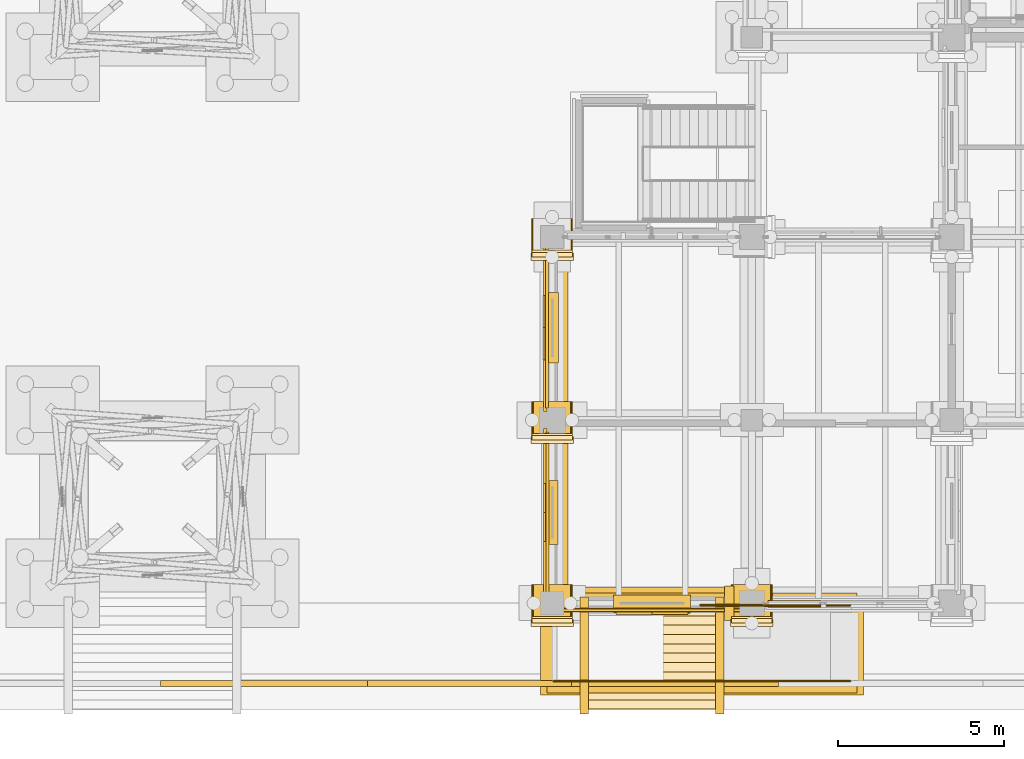
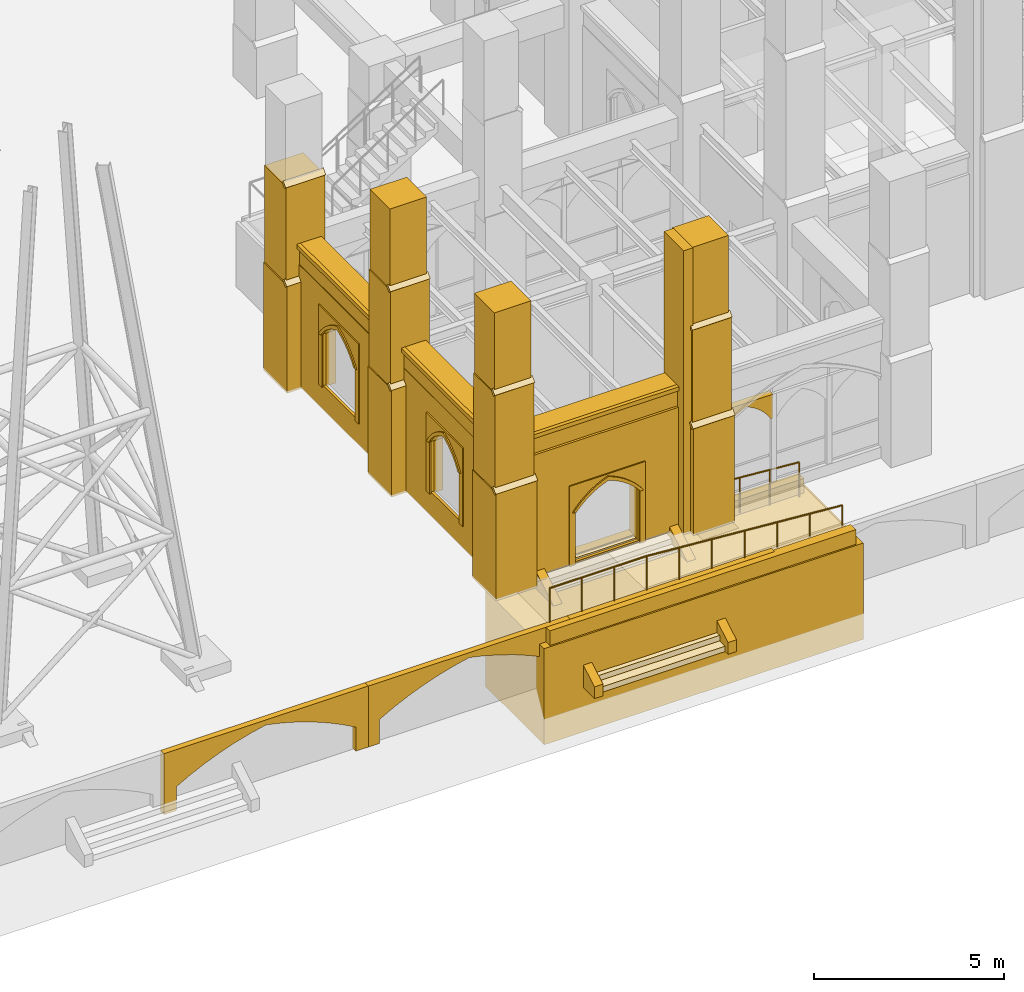
# One storey, part 103 of 135: 45 coverings, 2 railings.
"""IFC4 building model written with IfcOpenShell, lengths in metres."""

from ifc_helpers import new_model, si_unit, direction, frame, origin, origin_2d, place, context, subcontext, project, spatial, polyline, rectangle, circle, outline, extrude, material, type_object, element, save


model = new_model("IFC4")

# Units and contexts
model_context = context("Model", 3, precision=1e-05, world=origin(), true_north=direction((0.0, 1.0)))
body_context = subcontext(model_context, "Body", "Model", "MODEL_VIEW")
ifc_project = project(units=[si_unit("LENGTHUNIT", "METRE"), si_unit("AREAUNIT", "SQUARE_METRE"), si_unit("VOLUMEUNIT", "CUBIC_METRE"), si_unit("PLANEANGLEUNIT", "RADIAN"), si_unit("MASSUNIT", "GRAM", prefix="KILO")], contexts=[model_context])

# Site, building, storey
site_placement = place(None, origin())
site = spatial("IfcSite", under=ifc_project, at=site_placement, CompositionType="ELEMENT")
building_placement = place(site_placement, origin())
building = spatial("IfcBuilding", under=site, at=building_placement, Name="Cumevento Cable Car Station", CompositionType="ELEMENT")
storey_placement = place(building_placement, origin())
storey = spatial("IfcBuildingStorey", under=building, at=storey_placement, Name="L01", CompositionType="ELEMENT", Elevation=0.0)

# Railings
ifc_material_1 = material(Name="Painted Galvanised Architectural Steel", Category="steel")
railing_type = type_object("IfcRailingType", Name="Stair Guardrail GR-S115", PredefinedType="GUARDRAIL", material=ifc_material_1)
railing_1_placement = place(storey_placement, frame((106.050048828125, 1.659912109375, 0.0)))
element("IfcRailing", 1, at=railing_1_placement, inside=storey, type_object=railing_type, Name="Ramp Edge Guardrail RP-03 #196", PredefinedType="GUARDRAIL", context=body_context, shape_type="SweptSolid", body=[
    extrude(circle(Radius=0.02392578125, at=origin_2d()), frame((0.0, 0.0, 1.1259765625), z_axis=(1.0, 0.0, 0.0), x_axis=(0.0, 1.0, 0.0)), (0.0, 0.0, 1.0), 2.949951171875),
    extrude(circle(Radius=0.02392578125, at=origin_2d()), frame((2.949951171875, 0.0, 1.1259765625), z_axis=(0.997152812216, 0.0, -0.075407354352), x_axis=(0.0, 1.0, 0.0)), (0.0, 0.0, 1.0), 5.967041015625),
    extrude(circle(Radius=0.02001953125, at=origin_2d()), origin(), (0.0, 0.0, 1.0), 1.101806640625),
    extrude(circle(Radius=0.02001953125, at=origin_2d()), frame((0.9833984375, 0.0, 0.0)), (0.0, 0.0, 1.0), 1.101806640625),
    extrude(circle(Radius=0.02001953125, at=origin_2d()), frame((1.966552734375, 0.0, 0.0)), (0.0, 0.0, 1.0), 1.101806640625),
    extrude(circle(Radius=0.02001953125, at=origin_2d()), frame((2.949951171875, 0.0, 0.0)), (0.0, 0.0, 1.0), 1.101806640625),
    extrude(circle(Radius=0.02001953125, at=origin_2d()), frame((3.941650390625, 0.0, -0.074951171875)), (0.0, 0.0, 1.0), 1.101806640625),
    extrude(circle(Radius=0.02001953125, at=origin_2d()), frame((4.933349609375, 0.0, -0.14990234375)), (0.0, 0.0, 1.0), 1.101806640625),
    extrude(circle(Radius=0.02001953125, at=origin_2d()), frame((5.9248046875, 0.0, -0.22509765625)), (0.0, 0.0, 1.0), 1.101806640625),
    extrude(circle(Radius=0.02001953125, at=origin_2d()), frame((6.91650390625, 0.0, -0.300048828125)), (0.0, 0.0, 1.0), 1.101806640625),
    extrude(circle(Radius=0.02001953125, at=origin_2d()), frame((7.908203125, 0.0, -0.375)), (0.0, 0.0, 1.0), 1.101806640625),
    extrude(circle(Radius=0.02001953125, at=origin_2d()), frame((8.89990234375, 0.0, -0.449951171875)), (0.0, 0.0, 1.0), 1.101806640625),
])
railing_2_placement = place(storey_placement, frame((110.449951171875, 3.93994140625, -0.108642578125)))
element("IfcRailing", 2, at=railing_2_placement, inside=storey, type_object=railing_type, Name="Ramp Edge Guardrail RP-03 #197", PredefinedType="GUARDRAIL", context=body_context, shape_type="SweptSolid", body=[
    extrude(circle(Radius=0.02392578125, at=origin_2d()), frame((0.0, 0.0, 1.1259765625), z_axis=(0.997136016038, 0.0, -0.075629131425), x_axis=(0.0, 1.0, 0.0)), (0.0, 0.0, 1.0), 4.512939453125),
    extrude(circle(Radius=0.02001953125, at=origin_2d()), origin(), (0.0, 0.0, 1.0), 1.101806640625),
    extrude(circle(Radius=0.02001953125, at=origin_2d()), frame((0.89990234375, 0.0, -0.068359375)), (0.0, 0.0, 1.0), 1.101806640625),
    extrude(circle(Radius=0.02001953125, at=origin_2d()), frame((1.800048828125, 0.0, -0.136474609375)), (0.0, 0.0, 1.0), 1.101806640625),
    extrude(circle(Radius=0.02001953125, at=origin_2d()), frame((2.699951171875, 0.0, -0.204833984375)), (0.0, 0.0, 1.0), 1.101806640625),
    extrude(circle(Radius=0.02001953125, at=origin_2d()), frame((3.60009765625, 0.0, -0.27294921875)), (0.0, 0.0, 1.0), 1.101806640625),
    extrude(circle(Radius=0.02001953125, at=origin_2d()), frame((4.5, 0.0, -0.34130859375)), (0.0, 0.0, 1.0), 1.101806640625),
])

# Coverings
ifc_material_2 = material(Name="Gnaisse Facoidal Stone Ashlar 85 MPa", Category="masonry")
covering_type = type_object("IfcCoveringType", Name="Gnaisse Ashlar Cladding CV-CL01", PredefinedType="CLADDING", material=ifc_material_2)
covering_1_placement = place(storey_placement, frame((106.0, 3.93994140625, -0.06005859375), z_axis=(0.0, 0.0, 1.0), x_axis=(1.0, 0.0, 0.0)))
element("IfcCovering", 3, at=covering_1_placement, inside=storey, type_object=covering_type, Name="Stepped Gothic Stone Buttress Tier 1 bt:106.0:4.0", PredefinedType="CLADDING", context=body_context, shape_type="SweptSolid", body=[
    extrude(rectangle(XDim=1.239990234375, YDim=1.239990234375, at=origin_2d()), origin(), (0.0, 0.0, 1.0), 3.465576171875),
])
covering_2_placement = place(storey_placement, frame((105.360107421875, 3.300048828125, 3.385498046875), z_axis=(0.0, -0.714474823669, 0.699661151089), x_axis=(1.0, 0.0, 0.0)))
element("IfcCovering", 4, at=covering_2_placement, inside=storey, type_object=covering_type, Name="Gothic Buttress Sloped Stone Weathering 1 bt:106.0:4.0", PredefinedType="CLADDING", context=body_context, shape_type="SweptSolid", body=[
    extrude(outline(polyline([(0.0, 0.0), (1.27978515625, 0.0), (1.27978515625, 0.21424991728737658), (0.0, 0.21424991728737658), (0.0, 0.0)])), origin(), (0.0, 0.0, -1.0), 0.090087890625),
])
covering_3_placement = place(storey_placement, frame((106.0, 3.989990234375, 3.22314453125), z_axis=(0.0, 0.0, 1.0), x_axis=(1.0, 0.0, 0.0)))
element("IfcCovering", 5, at=covering_3_placement, inside=storey, type_object=covering_type, Name="Stepped Gothic Stone Buttress Tier 2 bt:106.0:4.0", PredefinedType="CLADDING", context=body_context, shape_type="SweptSolid", body=[
    extrude(rectangle(XDim=1.179931640625, YDim=1.139892578125, at=origin_2d()), origin(), (0.0, 0.0, 1.0), 3.283203125),
])
covering_4_placement = place(storey_placement, frame((105.389892578125, 3.39990234375, 6.486328125), z_axis=(0.0, -0.715574205881, 0.698536724788), x_axis=(1.0, 0.0, 0.0)))
element("IfcCovering", 6, at=covering_4_placement, inside=storey, type_object=covering_type, Name="Gothic Buttress Sloped Stone Weathering 2 bt:106.0:4.0", PredefinedType="CLADDING", context=body_context, shape_type="SweptSolid", body=[
    extrude(outline(polyline([(0.0, 0.0), (1.22021484375, 0.0), (1.22021484375, 0.2006146760464928), (0.0, 0.2006146760464928), (0.0, 0.0)])), origin(), (0.0, 0.0, -1.0), 0.090087890625),
])
covering_5_placement = place(storey_placement, frame((106.0, 4.034912109375, 6.32373046875), z_axis=(0.0, 0.0, 1.0), x_axis=(1.0, 0.0, 0.0)))
element("IfcCovering", 7, at=covering_5_placement, inside=storey, type_object=covering_type, Name="Stepped Gothic Stone Buttress Tier 3 bt:106.0:4.0", PredefinedType="CLADDING", context=body_context, shape_type="SweptSolid", body=[
    extrude(rectangle(XDim=1.1201171875, YDim=1.050048828125, at=origin_2d()), origin(), (0.0, 0.0, 1.0), 2.736083984375),
])
covering_6_placement = place(storey_placement, frame((106.0, 9.43994140625, -0.06005859375), z_axis=(0.0, 0.0, 1.0), x_axis=(1.0, 0.0, 0.0)))
element("IfcCovering", 8, at=covering_6_placement, inside=storey, type_object=covering_type, Name="Stepped Gothic Stone Buttress Tier 1 bt:106.0:9.5", PredefinedType="CLADDING", context=body_context, shape_type="SweptSolid", body=[
    extrude(rectangle(XDim=1.239990234375, YDim=1.239990234375, at=origin_2d()), origin(), (0.0, 0.0, 1.0), 3.465576171875),
])
covering_7_placement = place(storey_placement, frame((105.360107421875, 8.800048828125, 3.385498046875), z_axis=(0.0, -0.714474823669, 0.699661151089), x_axis=(1.0, 0.0, 0.0)))
element("IfcCovering", 9, at=covering_7_placement, inside=storey, type_object=covering_type, Name="Gothic Buttress Sloped Stone Weathering 1 bt:106.0:9.5", PredefinedType="CLADDING", context=body_context, shape_type="SweptSolid", body=[
    extrude(outline(polyline([(0.0, 0.0), (1.27978515625, 0.0), (1.27978515625, 0.21424991728737658), (0.0, 0.21424991728737658), (0.0, 0.0)])), origin(), (0.0, 0.0, -1.0), 0.090087890625),
])
covering_8_placement = place(storey_placement, frame((106.0, 9.489990234375, 3.22314453125), z_axis=(0.0, 0.0, 1.0), x_axis=(1.0, 0.0, 0.0)))
element("IfcCovering", 10, at=covering_8_placement, inside=storey, type_object=covering_type, Name="Stepped Gothic Stone Buttress Tier 2 bt:106.0:9.5", PredefinedType="CLADDING", context=body_context, shape_type="SweptSolid", body=[
    extrude(rectangle(XDim=1.179931640625, YDim=1.139892578125, at=origin_2d()), origin(), (0.0, 0.0, 1.0), 3.283203125),
])
covering_9_placement = place(storey_placement, frame((105.389892578125, 8.89990234375, 6.486328125), z_axis=(0.0, -0.715574205881, 0.698536724788), x_axis=(1.0, 0.0, 0.0)))
element("IfcCovering", 11, at=covering_9_placement, inside=storey, type_object=covering_type, Name="Gothic Buttress Sloped Stone Weathering 2 bt:106.0:9.5", PredefinedType="CLADDING", context=body_context, shape_type="SweptSolid", body=[
    extrude(outline(polyline([(0.0, 0.0), (1.22021484375, 0.0), (1.22021484375, 0.2006146760464928), (0.0, 0.2006146760464928), (0.0, 0.0)])), origin(), (0.0, 0.0, -1.0), 0.090087890625),
])
covering_10_placement = place(storey_placement, frame((106.0, 9.534912109375, 6.32373046875), z_axis=(0.0, 0.0, 1.0), x_axis=(1.0, 0.0, 0.0)))
element("IfcCovering", 12, at=covering_10_placement, inside=storey, type_object=covering_type, Name="Stepped Gothic Stone Buttress Tier 3 bt:106.0:9.5", PredefinedType="CLADDING", context=body_context, shape_type="SweptSolid", body=[
    extrude(rectangle(XDim=1.1201171875, YDim=1.050048828125, at=origin_2d()), origin(), (0.0, 0.0, 1.0), 2.736083984375),
])
covering_11_placement = place(storey_placement, frame((106.0, 14.93994140625, -0.06005859375), z_axis=(0.0, 0.0, 1.0), x_axis=(1.0, 0.0, 0.0)))
element("IfcCovering", 13, at=covering_11_placement, inside=storey, type_object=covering_type, Name="Stepped Gothic Stone Buttress Tier 1 bt:106.0:15.0", PredefinedType="CLADDING", context=body_context, shape_type="SweptSolid", body=[
    extrude(rectangle(XDim=1.239990234375, YDim=1.239990234375, at=origin_2d()), origin(), (0.0, 0.0, 1.0), 3.465576171875),
])
covering_12_placement = place(storey_placement, frame((105.360107421875, 14.300048828125, 3.385498046875), z_axis=(0.0, -0.714474823669, 0.699661151089), x_axis=(1.0, 0.0, 0.0)))
element("IfcCovering", 14, at=covering_12_placement, inside=storey, type_object=covering_type, Name="Gothic Buttress Sloped Stone Weathering 1 bt:106.0:15.0", PredefinedType="CLADDING", context=body_context, shape_type="SweptSolid", body=[
    extrude(outline(polyline([(0.0, 0.0), (1.27978515625, 0.0), (1.27978515625, 0.21424991728737658), (0.0, 0.21424991728737658), (0.0, 0.0)])), origin(), (0.0, 0.0, -1.0), 0.090087890625),
])
covering_13_placement = place(storey_placement, frame((106.0, 14.989990234375, 3.22314453125), z_axis=(0.0, 0.0, 1.0), x_axis=(1.0, 0.0, 0.0)))
element("IfcCovering", 15, at=covering_13_placement, inside=storey, type_object=covering_type, Name="Stepped Gothic Stone Buttress Tier 2 bt:106.0:15.0", PredefinedType="CLADDING", context=body_context, shape_type="SweptSolid", body=[
    extrude(rectangle(XDim=1.179931640625, YDim=1.139892578125, at=origin_2d()), origin(), (0.0, 0.0, 1.0), 3.283203125),
])
covering_14_placement = place(storey_placement, frame((105.389892578125, 14.39990234375, 6.486328125), z_axis=(0.0, -0.715574205881, 0.698536724788), x_axis=(1.0, 0.0, 0.0)))
element("IfcCovering", 16, at=covering_14_placement, inside=storey, type_object=covering_type, Name="Gothic Buttress Sloped Stone Weathering 2 bt:106.0:15.0", PredefinedType="CLADDING", context=body_context, shape_type="SweptSolid", body=[
    extrude(outline(polyline([(0.0, 0.0), (1.22021484375, 0.0), (1.22021484375, 0.2006146760464928), (0.0, 0.2006146760464928), (0.0, 0.0)])), origin(), (0.0, 0.0, -1.0), 0.090087890625),
])
covering_15_placement = place(storey_placement, frame((112.0, 3.93994140625, -0.06005859375), z_axis=(0.0, 0.0, 1.0), x_axis=(1.0, 0.0, 0.0)))
element("IfcCovering", 17, at=covering_15_placement, inside=storey, type_object=covering_type, Name="Stepped Gothic Stone Buttress Tier 1 bt:112.0:4.0", PredefinedType="CLADDING", context=body_context, shape_type="SweptSolid", body=[
    extrude(rectangle(XDim=1.239990234375, YDim=1.239990234375, at=origin_2d()), origin(), (0.0, 0.0, 1.0), 3.465576171875),
])
covering_16_placement = place(storey_placement, frame((111.360107421875, 3.300048828125, 3.385498046875), z_axis=(0.0, -0.714474823669, 0.699661151089), x_axis=(1.0, 0.0, 0.0)))
element("IfcCovering", 18, at=covering_16_placement, inside=storey, type_object=covering_type, Name="Gothic Buttress Sloped Stone Weathering 1 bt:112.0:4.0", PredefinedType="CLADDING", context=body_context, shape_type="SweptSolid", body=[
    extrude(outline(polyline([(0.0, 0.0), (1.27978515625, 0.0), (1.27978515625, 0.21424991728737658), (0.0, 0.21424991728737658), (0.0, 0.0)])), origin(), (0.0, 0.0, -1.0), 0.090087890625),
])
covering_17_placement = place(storey_placement, frame((112.0, 3.989990234375, 3.22314453125), z_axis=(0.0, 0.0, 1.0), x_axis=(1.0, 0.0, 0.0)))
element("IfcCovering", 19, at=covering_17_placement, inside=storey, type_object=covering_type, Name="Stepped Gothic Stone Buttress Tier 2 bt:112.0:4.0", PredefinedType="CLADDING", context=body_context, shape_type="SweptSolid", body=[
    extrude(rectangle(XDim=1.179931640625, YDim=1.139892578125, at=origin_2d()), origin(), (0.0, 0.0, 1.0), 3.283203125),
])
covering_18_placement = place(storey_placement, frame((111.389892578125, 3.39990234375, 6.486328125), z_axis=(0.0, -0.715574205881, 0.698536724788), x_axis=(1.0, 0.0, 0.0)))
element("IfcCovering", 20, at=covering_18_placement, inside=storey, type_object=covering_type, Name="Gothic Buttress Sloped Stone Weathering 2 bt:112.0:4.0", PredefinedType="CLADDING", context=body_context, shape_type="SweptSolid", body=[
    extrude(outline(polyline([(0.0, 0.0), (1.22021484375, 0.0), (1.22021484375, 0.2006146760464928), (0.0, 0.2006146760464928), (0.0, 0.0)])), origin(), (0.0, 0.0, -1.0), 0.090087890625),
])
covering_19_placement = place(storey_placement, frame((112.0, 4.034912109375, 6.32373046875), z_axis=(0.0, 0.0, 1.0), x_axis=(1.0, 0.0, 0.0)))
element("IfcCovering", 21, at=covering_19_placement, inside=storey, type_object=covering_type, Name="Stepped Gothic Stone Buttress Tier 3 bt:112.0:4.0", PredefinedType="CLADDING", context=body_context, shape_type="SweptSolid", body=[
    extrude(rectangle(XDim=1.1201171875, YDim=1.050048828125, at=origin_2d()), origin(), (0.0, 0.0, 1.0), 2.736083984375),
])
covering_20_placement = place(storey_placement, frame((111.320068359375, 4.0, -0.06005859375), z_axis=(0.0, 0.0, 1.0), x_axis=(1.0, 0.0, 0.0)))
element("IfcCovering", 22, at=covering_20_placement, inside=storey, type_object=covering_type, Name="Corner Buttress Stone Return (112.0,4.0)", PredefinedType="CLADDING", context=body_context, shape_type="SweptSolid", body=[
    extrude(rectangle(XDim=0.280029296875, YDim=1.030029296875, at=origin_2d()), origin(), (0.0, 0.0, 1.0), 9.1201171875),
])
covering_21_placement = place(storey_placement, frame((108.987548828125, 4.14990234375, 3.796875), z_axis=(0.0, 0.0, 1.0), x_axis=(-1.0, 0.0, 0.0)))
element("IfcCovering", 23, at=covering_21_placement, inside=storey, type_object=covering_type, Name="Gothic Stone Spandrel Stringcourse sc:0023", PredefinedType="CLADDING", context=body_context, shape_type="SweptSolid", body=[
    extrude(rectangle(XDim=5.514892578125, YDim=0.659912109375, at=origin_2d()), origin(), (0.0, 0.0, 1.0), 0.7470703125),
])
covering_22_placement = place(storey_placement, frame((108.987548828125, 3.79248046875, 4.4140625), z_axis=(0.0, 0.0, 1.0), x_axis=(-1.0, 0.0, 0.0)))
element("IfcCovering", 24, at=covering_22_placement, inside=storey, type_object=covering_type, Name="Gothic Cornice Dripstone Lip sc:0023", PredefinedType="CLADDING", context=body_context, shape_type="SweptSolid", body=[
    extrude(rectangle(XDim=5.554931640625, YDim=0.114990234375, at=origin_2d()), origin(), (0.0, 0.0, 1.0), 0.1298828125),
])
covering_23_placement = place(storey_placement, frame((106.14990234375, 6.72509765625, 3.796875), z_axis=(0.0, 0.0, 1.0), x_axis=(0.0, 1.0, 0.0)))
element("IfcCovering", 25, at=covering_23_placement, inside=storey, type_object=covering_type, Name="Gothic Stone Spandrel Stringcourse sc:0027", PredefinedType="CLADDING", context=body_context, shape_type="SweptSolid", body=[
    extrude(rectangle(XDim=4.989990234375, YDim=0.659912109375, at=origin_2d()), origin(), (0.0, 0.0, 1.0), 0.7470703125),
])
covering_24_placement = place(storey_placement, frame((105.79248046875, 6.72509765625, 4.4140625), z_axis=(0.0, 0.0, 1.0), x_axis=(0.0, 1.0, 0.0)))
element("IfcCovering", 26, at=covering_24_placement, inside=storey, type_object=covering_type, Name="Gothic Cornice Dripstone Lip sc:0027", PredefinedType="CLADDING", context=body_context, shape_type="SweptSolid", body=[
    extrude(rectangle(XDim=5.030029296875, YDim=0.114990234375, at=origin_2d()), origin(), (0.0, 0.0, 1.0), 0.1298828125),
])
covering_25_placement = place(storey_placement, frame((106.14990234375, 12.27490234375, 3.796875), z_axis=(0.0, 0.0, 1.0), x_axis=(0.0, 1.0, 0.0)))
element("IfcCovering", 27, at=covering_25_placement, inside=storey, type_object=covering_type, Name="Gothic Stone Spandrel Stringcourse sc:0028", PredefinedType="CLADDING", context=body_context, shape_type="SweptSolid", body=[
    extrude(rectangle(XDim=4.989990234375, YDim=0.659912109375, at=origin_2d()), origin(), (0.0, 0.0, 1.0), 0.7470703125),
])
covering_26_placement = place(storey_placement, frame((105.79248046875, 12.27490234375, 4.4140625), z_axis=(0.0, 0.0, 1.0), x_axis=(0.0, 1.0, 0.0)))
element("IfcCovering", 28, at=covering_26_placement, inside=storey, type_object=covering_type, Name="Gothic Cornice Dripstone Lip sc:0028", PredefinedType="CLADDING", context=body_context, shape_type="SweptSolid", body=[
    extrude(rectangle(XDim=5.030029296875, YDim=0.114990234375, at=origin_2d()), origin(), (0.0, 0.0, 1.0), 0.1298828125),
])
covering_27_placement = place(storey_placement, frame((114.10009765625, 4.0, 2.418212890625), z_axis=(0.0, 0.0, 1.0), x_axis=(-1.0, 0.0, 0.0)))
element("IfcCovering", 29, at=covering_27_placement, inside=storey, type_object=covering_type, Name="Gothic Ogival Pointed-Arch Stone Spandrel cw_ogival:0012:sub:2", PredefinedType="CLADDING", context=body_context, shape_type="SweptSolid", body=[
    extrude(outline(polyline([(-0.02001953125, 0.0), (-0.02001953125, 0.772216796875), (1.614990234375, 0.772216796875), (1.614990234375, 0.0), (1.554931640625, 0.0), (1.4609375, 0.14111328125), (1.352294921875, 0.271240234375), (1.22998046875, 0.388671875), (1.095703125, 0.491943359375), (0.950927734375, 0.580322265625), (0.797607421875, 0.652099609375), (0.64404296875, 0.580322265625), (0.499267578125, 0.491943359375), (0.364990234375, 0.388671875), (0.24267578125, 0.271240234375), (0.134033203125, 0.14111328125), (0.0400390625, 0.0), (-0.02001953125, 0.0)])), frame((0.0, 0.1240234375, 0.0), z_axis=(0.0, -1.0, 0.0), x_axis=(1.0, 0.0, 0.0)), (0.0, 0.0, 1.0), 0.199951171875),
])
covering_28_placement = place(storey_placement, frame((111.625, 4.0, 0.0), z_axis=(0.0, 0.0, 1.0), x_axis=(-1.0, 0.0, 0.0)))
element("IfcCovering", 30, at=covering_28_placement, inside=storey, type_object=covering_type, Name="Exterior Gnaisse Stone Wall Ashlar #122", PredefinedType="CLADDING", context=body_context, shape_type="SweptSolid", body=[
    extrude(outline(polyline([(-0.0400390625, -0.02001953125), (5.31494140625, -0.02001953125), (5.31494140625, 3.876953125), (-0.0400390625, 3.876953125), (-0.0400390625, -0.02001953125)]), holes=[polyline([(1.659912109375, 0.02001953125), (3.590087890625, 0.02001953125), (3.590087890625, 2.2900390625), (1.659912109375, 2.2900390625), (1.659912109375, 0.02001953125)])]), frame((0.0, 0.25244140625, 0.0), z_axis=(0.0, -1.0, 0.0), x_axis=(1.0, 0.0, 0.0)), (0.0, 0.0, 1.0), 0.0849609375),
])
covering_29_placement = place(storey_placement, frame((110.114990234375, 4.0, -0.050048828125), z_axis=(0.0, 0.0, 1.0), x_axis=(-1.0, 0.0, 0.0)))
element("IfcCovering", 31, at=covering_29_placement, inside=storey, type_object=covering_type, Name="Gothic Ogival Pointed-Arch Stone Spandrel op_ogival:0122:1", PredefinedType="CLADDING", context=body_context, shape_type="SweptSolid", body=[
    extrude(outline(polyline([(-0.0400390625, 0.0), (-0.0400390625, 2.570068359375), (2.27001953125, 2.570068359375), (2.27001953125, 0.0), (2.090087890625, 0.0), (2.090087890625, 1.7060546875), (1.9765625, 1.8359375), (1.853271484375, 1.956298828125), (1.720458984375, 2.066162109375), (1.579345703125, 2.165283203125), (1.4306640625, 2.25244140625), (1.275634765625, 2.32763671875), (1.114990234375, 2.39013671875), (0.954345703125, 2.32763671875), (0.79931640625, 2.25244140625), (0.650634765625, 2.165283203125), (0.509521484375, 2.066162109375), (0.376708984375, 1.956298828125), (0.25341796875, 1.8359375), (0.139892578125, 1.7060546875), (0.139892578125, 0.0), (-0.0400390625, 0.0)])), frame((0.0, 0.29052734375, 0.0), z_axis=(0.0, -1.0, 0.0), x_axis=(1.0, 0.0, 0.0)), (0.0, 0.0, 1.0), 0.534912109375),
])
covering_30_placement = place(storey_placement, frame((110.114990234375, 4.0, 1.656005859375), z_axis=(0.0, 0.0, 1.0), x_axis=(-1.0, 0.0, 0.0)))
element("IfcCovering", 32, at=covering_30_placement, inside=storey, type_object=covering_type, Name="Gothic Pointed Archivolt Hood Moulding op_ogival:0122:1", PredefinedType="CLADDING", context=body_context, shape_type="SweptSolid", body=[
    extrude(outline(polyline([(0.139892578125, 0.0), (0.25341796875, 0.1298828125), (0.376708984375, 0.250244140625), (0.509521484375, 0.360107421875), (0.650634765625, 0.459228515625), (0.79931640625, 0.54638671875), (0.954345703125, 0.62158203125), (1.114990234375, 0.68408203125), (1.275634765625, 0.62158203125), (1.4306640625, 0.54638671875), (1.579345703125, 0.459228515625), (1.720458984375, 0.360107421875), (1.853271484375, 0.250244140625), (1.9765625, 0.1298828125), (2.090087890625, 0.0), (2.18896484375, 0.0), (2.06787109375, 0.15234375), (1.93408203125, 0.294189453125), (1.788818359375, 0.423828125), (1.63330078125, 0.541015625), (1.46826171875, 0.64453125), (1.295166015625, 0.733642578125), (1.114990234375, 0.807861328125), (0.934814453125, 0.733642578125), (0.76171875, 0.64453125), (0.5966796875, 0.541015625), (0.441162109375, 0.423828125), (0.2958984375, 0.294189453125), (0.162109375, 0.15234375), (0.041015625, 0.0), (0.139892578125, 0.0)])), frame((0.0, 0.33251953125, 0.0), z_axis=(0.0, -1.0, 0.0), x_axis=(1.0, 0.0, 0.0)), (0.0, 0.0, 1.0), 0.06689453125),
])
covering_31_placement = place(storey_placement, frame((106.0, 4.35009765625, 0.0), z_axis=(0.0, 0.0, 1.0), x_axis=(0.0, 1.0, 0.0)))
element("IfcCovering", 33, at=covering_31_placement, inside=storey, type_object=covering_type, Name="Exterior Gnaisse Stone Wall Ashlar #123", PredefinedType="CLADDING", context=body_context, shape_type="SweptSolid", body=[
    extrude(outline(polyline([(-0.0400390625, -0.02001953125), (4.7900390625, -0.02001953125), (4.7900390625, 3.876953125), (-0.0400390625, 3.876953125), (-0.0400390625, -0.02001953125)]), holes=[polyline([(1.610107421875, 0.760009765625), (3.139892578125, 0.760009765625), (3.139892578125, 2.989990234375), (1.610107421875, 2.989990234375), (1.610107421875, 0.760009765625)])]), frame((0.0, 0.18505859375, 0.0), z_axis=(0.0, -1.0, 0.0), x_axis=(1.0, 0.0, 0.0)), (0.0, 0.0, 1.0), 0.0849609375),
])
covering_32_placement = place(storey_placement, frame((106.0, 5.81005859375, 0.699951171875), z_axis=(0.0, 0.0, 1.0), x_axis=(0.0, 1.0, 0.0)))
element("IfcCovering", 34, at=covering_32_placement, inside=storey, type_object=covering_type, Name="Gothic Ogival Pointed-Arch Stone Spandrel op_ogival:0123:1", PredefinedType="CLADDING", context=body_context, shape_type="SweptSolid", body=[
    extrude(outline(polyline([(-0.0400390625, 0.0), (-0.0400390625, 2.52001953125), (1.8701171875, 2.52001953125), (1.8701171875, 0.0), (1.68994140625, 0.0), (1.68994140625, 1.669921875), (1.60888671875, 1.794921875), (1.516357421875, 1.91162109375), (1.4130859375, 2.01904296875), (1.300537109375, 2.116455078125), (1.17919921875, 2.202880859375), (1.05029296875, 2.277587890625), (0.9150390625, 2.33984375), (0.77978515625, 2.277587890625), (0.65087890625, 2.202880859375), (0.529541015625, 2.116455078125), (0.4169921875, 2.01904296875), (0.313720703125, 1.91162109375), (0.22119140625, 1.794921875), (0.139892578125, 1.669921875), (0.139892578125, 0.0), (-0.0400390625, 0.0)])), frame((0.0, 0.222900390625, 0.0), z_axis=(0.0, -1.0, 0.0), x_axis=(1.0, 0.0, 0.0)), (0.0, 0.0, 1.0), 0.39990234375),
])
covering_33_placement = place(storey_placement, frame((106.0, 5.81005859375, 2.3701171875), z_axis=(0.0, 0.0, 1.0), x_axis=(0.0, 1.0, 0.0)))
element("IfcCovering", 35, at=covering_33_placement, inside=storey, type_object=covering_type, Name="Gothic Pointed Archivolt Hood Moulding op_ogival:0123:1", PredefinedType="CLADDING", context=body_context, shape_type="SweptSolid", body=[
    extrude(outline(polyline([(0.139892578125, 0.0), (0.22119140625, 0.124755859375), (0.313720703125, 0.241455078125), (0.4169921875, 0.34912109375), (0.529541015625, 0.446533203125), (0.65087890625, 0.532958984375), (0.77978515625, 0.607666015625), (0.9150390625, 0.669921875), (1.05029296875, 0.607666015625), (1.17919921875, 0.532958984375), (1.300537109375, 0.446533203125), (1.4130859375, 0.34912109375), (1.516357421875, 0.241455078125), (1.60888671875, 0.124755859375), (1.68994140625, 0.0), (1.7890625, 0.0), (1.7001953125, 0.147216796875), (1.59765625, 0.28515625), (1.482177734375, 0.412353515625), (1.35498046875, 0.52783203125), (1.21728515625, 0.630615234375), (1.070068359375, 0.719482421875), (0.9150390625, 0.793701171875), (0.760009765625, 0.719482421875), (0.61279296875, 0.630615234375), (0.47509765625, 0.52783203125), (0.347900390625, 0.412353515625), (0.232421875, 0.28515625), (0.1298828125, 0.147216796875), (0.041015625, 0.0), (0.139892578125, 0.0)])), frame((0.0, 0.264892578125, 0.0), z_axis=(0.0, -1.0, 0.0), x_axis=(1.0, 0.0, 0.0)), (0.0, 0.0, 1.0), 0.06689453125),
])
covering_34_placement = place(storey_placement, frame((106.0, 9.89990234375, 0.0), z_axis=(0.0, 0.0, 1.0), x_axis=(0.0, 1.0, 0.0)))
element("IfcCovering", 36, at=covering_34_placement, inside=storey, type_object=covering_type, Name="Exterior Gnaisse Stone Wall Ashlar #125", PredefinedType="CLADDING", context=body_context, shape_type="SweptSolid", body=[
    extrude(outline(polyline([(-0.0400390625, -0.02001953125), (4.7900390625, -0.02001953125), (4.7900390625, 3.876953125), (-0.0400390625, 3.876953125), (-0.0400390625, -0.02001953125)]), holes=[polyline([(1.510009765625, 0.760009765625), (3.239990234375, 0.760009765625), (3.239990234375, 3.0400390625), (1.510009765625, 3.0400390625), (1.510009765625, 0.760009765625)])]), frame((0.0, 0.199951171875, 0.0), z_axis=(0.0, -1.0, 0.0), x_axis=(1.0, 0.0, 0.0)), (0.0, 0.0, 1.0), 0.0849609375),
])
covering_35_placement = place(storey_placement, frame((106.0, 11.260009765625, 0.699951171875), z_axis=(0.0, 0.0, 1.0), x_axis=(0.0, 1.0, 0.0)))
element("IfcCovering", 37, at=covering_35_placement, inside=storey, type_object=covering_type, Name="Gothic Ogival Pointed-Arch Stone Spandrel op_ogival:0125:1", PredefinedType="CLADDING", context=body_context, shape_type="SweptSolid", body=[
    extrude(outline(polyline([(-0.0400390625, 0.0), (-0.0400390625, 2.570068359375), (2.070068359375, 2.570068359375), (2.070068359375, 0.0), (1.889892578125, 0.0), (1.889892578125, 1.7060546875), (1.79296875, 1.834716796875), (1.685302734375, 1.954345703125), (1.567626953125, 2.064453125), (1.440673828125, 2.16357421875), (1.305419921875, 2.25146484375), (1.163330078125, 2.3271484375), (1.014892578125, 2.39013671875), (0.86669921875, 2.3271484375), (0.724609375, 2.25146484375), (0.58935546875, 2.16357421875), (0.46240234375, 2.064453125), (0.3447265625, 1.954345703125), (0.237060546875, 1.834716796875), (0.139892578125, 1.7060546875), (0.139892578125, 0.0), (-0.0400390625, 0.0)])), frame((0.0, 0.238037109375, 0.0), z_axis=(0.0, -1.0, 0.0), x_axis=(1.0, 0.0, 0.0)), (0.0, 0.0, 1.0), 0.429931640625),
])
covering_36_placement = place(storey_placement, frame((106.0, 11.260009765625, 2.406005859375), z_axis=(0.0, 0.0, 1.0), x_axis=(0.0, 1.0, 0.0)))
element("IfcCovering", 38, at=covering_36_placement, inside=storey, type_object=covering_type, Name="Gothic Pointed Archivolt Hood Moulding op_ogival:0125:1", PredefinedType="CLADDING", context=body_context, shape_type="SweptSolid", body=[
    extrude(outline(polyline([(0.139892578125, 0.0), (0.237060546875, 0.128662109375), (0.3447265625, 0.248291015625), (0.46240234375, 0.3583984375), (0.58935546875, 0.45751953125), (0.724609375, 0.54541015625), (0.86669921875, 0.62109375), (1.014892578125, 0.68408203125), (1.163330078125, 0.62109375), (1.305419921875, 0.54541015625), (1.440673828125, 0.45751953125), (1.567626953125, 0.3583984375), (1.685302734375, 0.248291015625), (1.79296875, 0.128662109375), (1.889892578125, 0.0), (1.989013671875, 0.0), (1.884521484375, 0.151123046875), (1.7666015625, 0.292236328125), (1.63623046875, 0.421875), (1.494873046875, 0.5390625), (1.34326171875, 0.64306640625), (1.182861328125, 0.73291015625), (1.014892578125, 0.807861328125), (0.84716796875, 0.73291015625), (0.686767578125, 0.64306640625), (0.53515625, 0.5390625), (0.393798828125, 0.421875), (0.263427734375, 0.292236328125), (0.1455078125, 0.151123046875), (0.041015625, 0.0), (0.139892578125, 0.0)])), frame((0.0, 0.280029296875, 0.0), z_axis=(0.0, -1.0, 0.0), x_axis=(1.0, 0.0, 0.0)), (0.0, 0.0, 1.0), 0.06689453125),
])
for number, where, z_axis, x_axis, name in (
    (39, (100.435302734375, 1.64990234375, -1.919921875), (0.0, 0.0, 1.0), (-1.0, 0.0, 0.0), "Gothic Ogival Pointed-Arch Stone Spandrel cumevento_plinth:plinth_arch:S:15"),
    (40, (106.609375, 1.64990234375, -1.919921875), (0.0, 0.0, 1.0), (-1.0, 0.0, 0.0), "Gothic Ogival Pointed-Arch Stone Spandrel cumevento_plinth:plinth_arch:S:16"),
    (41, (112.783447265625, 1.64990234375, -1.919921875), (0.0, 0.0, 1.0), (-1.0, 0.0, 0.0), "Gothic Ogival Pointed-Arch Stone Spandrel cumevento_plinth:plinth_arch:S:17"),
):
    element("IfcCovering", number, at=place(storey_placement, frame(where, z_axis=z_axis, x_axis=x_axis)), inside=storey, type_object=covering_type, Name=name, PredefinedType="CLADDING", context=body_context, shape_type="SweptSolid", body=[
        extrude(outline(polyline([(-0.02001953125, 0.0), (-0.02001953125, 1.9599609375), (6.194091796875, 1.9599609375), (6.194091796875, 0.0), (5.81396484375, 0.0), (5.81396484375, 0.77001953125), (5.3857421875, 1.00390625), (4.945068359375, 1.213623046875), (4.493408203125, 1.3984375), (4.0322265625, 1.558349609375), (3.56298828125, 1.692138671875), (3.087158203125, 1.800048828125), (2.611083984375, 1.692138671875), (2.141845703125, 1.558349609375), (1.6806640625, 1.3984375), (1.22900390625, 1.213623046875), (0.788330078125, 1.00390625), (0.360107421875, 0.77001953125), (0.360107421875, 0.0), (-0.02001953125, 0.0)])), frame((0.0, 0.14990234375, 0.0), z_axis=(0.0, -1.0, 0.0), x_axis=(1.0, 0.0, 0.0)), (0.0, 0.0, 1.0), 0.179931640625),
    ])
covering_37_placement = place(storey_placement, frame((0.0, 0.0, -3.52001953125)))
element("IfcCovering", 42, at=covering_37_placement, inside=storey, type_object=covering_type, Name="Ramp Sub-Base Stone Bed (106.0,1.6)", PredefinedType="CLADDING", context=body_context, shape_type="SweptSolid", body=[
    extrude(outline(polyline([(115.35009765625, 1.25), (115.35009765625, 4.35009765625), (105.64990234375, 4.35009765625), (105.64990234375, 1.25), (115.35009765625, 1.25)])), origin(), (0.0, 0.0, 1.0), 3.090087890625),
])
for number, where, z_axis, x_axis, name in (
    (43, (110.5, 1.43994140625, -0.4501953125), (0.0, 0.0, 1.0), (1.0, 0.0, 0.0), "Ramp Stone Cheek Wall (106.0,1.4)"),
    (44, (110.5, 4.159912109375, -0.4501953125), (0.0, 0.0, 1.0), (1.0, 0.0, 0.0), "Ramp Stone Cheek Wall (106.0,4.2)"),
):
    element("IfcCovering", number, at=place(storey_placement, frame(where, z_axis=z_axis, x_axis=x_axis)), inside=storey, type_object=covering_type, Name=name, PredefinedType="CLADDING", context=body_context, shape_type="SweptSolid", body=[
        extrude(rectangle(XDim=9.300048828125, YDim=0.280029296875, at=origin_2d()), origin(), (0.0, 0.0, 1.0), 0.489990234375),
    ])
covering_38_placement = place(storey_placement, frame((109.0, 0.820068359375, -2.10009765625), z_axis=(0.0, 0.0, 1.0), x_axis=(0.0, 1.0, 0.0)))
element("IfcCovering", 45, at=covering_38_placement, inside=storey, type_object=covering_type, Name="Stepped Gnaisse Plinth Stairway cumevento_plinth:s_step_e", PredefinedType="CLADDING", context=body_context, shape_type="SweptSolid", body=[
    extrude(outline(polyline([(0.0, 0.0), (0.0, 0.17578125), (0.280029296875, 0.17578125), (0.280029296875, 0.3515625), (0.56005859375, 0.3515625), (0.56005859375, 0.527587890625), (0.840087890625, 0.527587890625), (0.840087890625, 0.703369140625), (1.1201171875, 0.703369140625), (1.1201171875, 0.879150390625), (1.39990234375, 0.879150390625), (1.39990234375, 1.054931640625), (1.679931640625, 1.054931640625), (1.679931640625, 1.230712890625), (1.9599609375, 1.230712890625), (1.9599609375, 1.40673828125), (2.239990234375, 1.40673828125), (2.239990234375, 1.58251953125), (2.52001953125, 1.58251953125), (2.52001953125, 1.75830078125), (2.800048828125, 1.75830078125), (2.800048828125, 1.93408203125), (3.080078125, 1.93408203125), (3.080078125, 2.110107421875), (3.330078125, 2.110107421875), (3.330078125, 0.0), (0.0, 0.0)])), frame((0.0, 1.89990234375, 0.0), z_axis=(0.0, -1.0, 0.0), x_axis=(1.0, 0.0, 0.0)), (0.0, 0.0, 1.0), 3.800048828125),
])
for number, where, z_axis, x_axis, name in (
    (46, (111.030029296875, 0.820068359375, -2.10009765625), (0.0, 0.0, 1.0), (0.0, 1.0, 0.0), "Stone Stair Cheek Parapet cumevento_plinth:s_step_e R"),
    (47, (106.969970703125, 0.820068359375, -2.10009765625), (0.0, 0.0, 1.0), (0.0, 1.0, 0.0), "Stone Stair Cheek Parapet cumevento_plinth:s_step_e L"),
):
    element("IfcCovering", number, at=place(storey_placement, frame(where, z_axis=z_axis, x_axis=x_axis)), inside=storey, type_object=covering_type, Name=name, PredefinedType="CLADDING", context=body_context, shape_type="SweptSolid", body=[
        extrude(outline(polyline([(-0.14990234375, 0.0), (3.360107421875, 0.0), (3.360107421875, 2.489990234375), (-0.14990234375, 0.3798828125), (-0.14990234375, 0.0)])), frame((0.0, 0.1298828125, 0.0), z_axis=(0.0, -1.0, 0.0), x_axis=(1.0, 0.0, 0.0)), (0.0, 0.0, 1.0), 0.260009765625),
    ])

save(model, "model.ifc")
